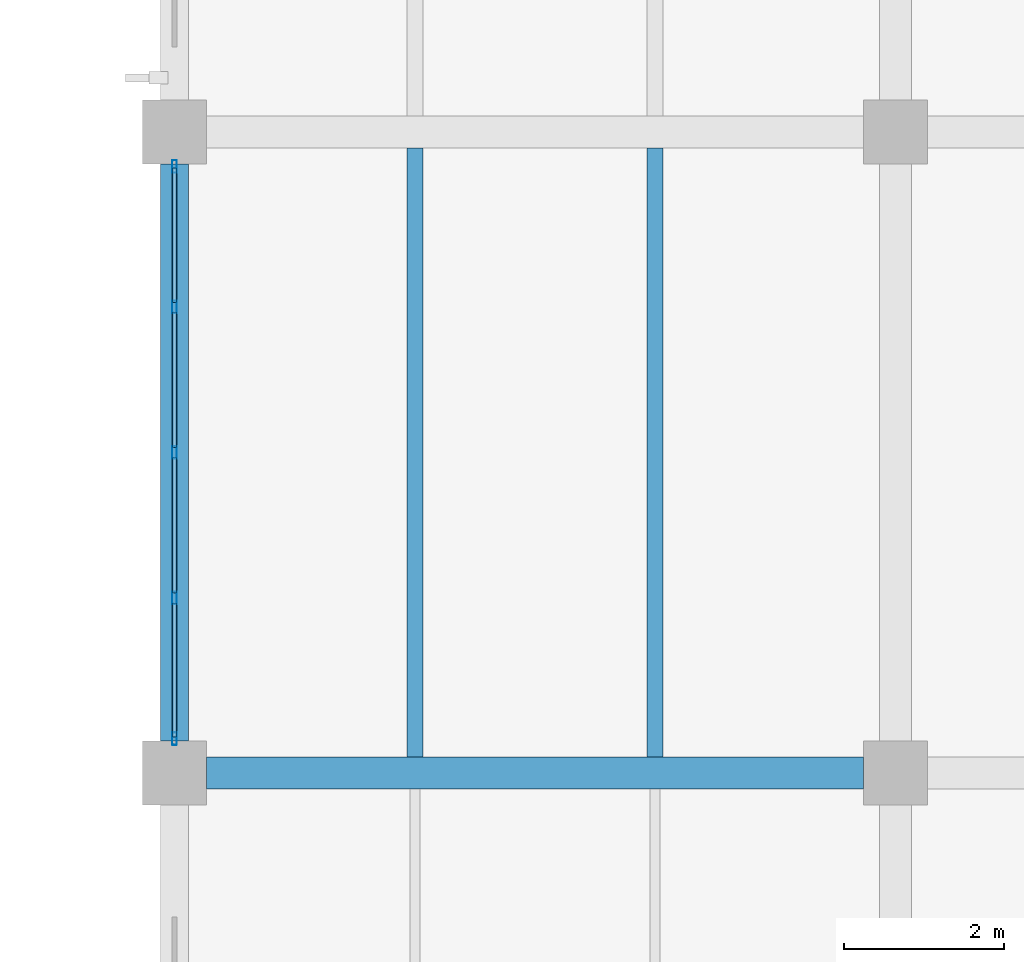
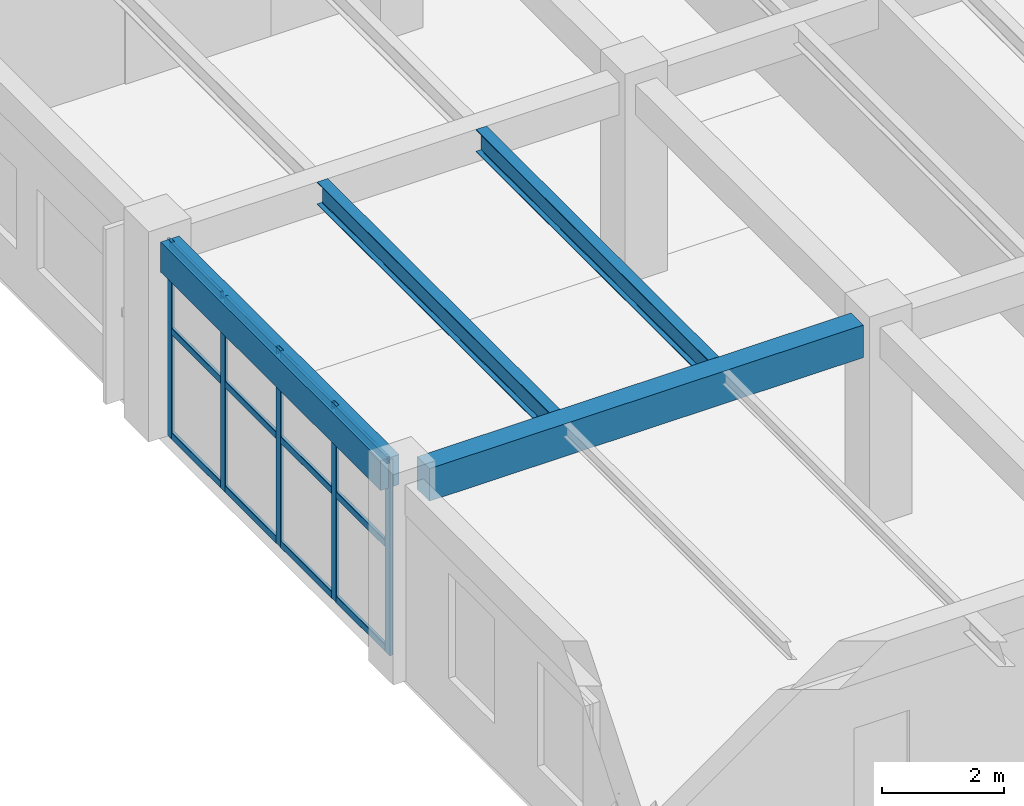
# One storey, part 94 of 148: 17 members, 4 beams, 1 element without a shape of its own.
"""IFC4 building model written with IfcOpenShell, lengths in metres."""

from ifc_helpers import new_model, si_unit, derived_unit, direction, frame, origin, origin_2d, place, context, subcontext, project, spatial, rectangle, hollow_rectangle, i_section, extrude, material, material_profile, profile_set, type_object, element, aggregate, save


model = new_model("IFC4")

# Units and contexts
model_context = context("Model", 3, precision=1e-05, world=origin(), true_north=direction((0.0, 1.0)))
body_context = subcontext(model_context, "Body", "Model", "MODEL_VIEW")
ifc_project = project(units=[si_unit("LENGTHUNIT", "METRE"), si_unit("AREAUNIT", "SQUARE_METRE"), si_unit("VOLUMEUNIT", "CUBIC_METRE"), si_unit("PLANEANGLEUNIT", "RADIAN"), si_unit("MASSUNIT", "GRAM", prefix="KILO"), derived_unit("THERMALTRANSMITTANCEUNIT", [(si_unit("MASSUNIT", "GRAM", prefix="KILO"), 1), (si_unit("TIMEUNIT", "SECOND"), -3), (si_unit("THERMODYNAMICTEMPERATUREUNIT", "KELVIN"), -1)])], contexts=[model_context])

# Site, building, storey
site_placement = place(None, origin())
site = spatial("IfcSite", under=ifc_project, at=site_placement, CompositionType="ELEMENT")
building_placement = place(site_placement, origin())
building = spatial("IfcBuilding", under=site, at=building_placement, Name="Zhenchuan Archway Interchange", CompositionType="ELEMENT")
storey_placement = place(building_placement, frame((0.0, 0.0, 10.199951171875)))
storey = spatial("IfcBuildingStorey", under=building, at=storey_placement, Name="L02", CompositionType="ELEMENT", Elevation=10.199951171875)

# Beam
ifc_material_1 = material(Name="Concrete C40", Category="concrete")
ifc_material_profile_1 = material_profile(ifc_material_1, rectangle(XDim=0.39990234375, YDim=0.64990234375, at=origin_2d()), Name="RC 400x650")
ifc_profile_set_1 = profile_set([ifc_material_profile_1], Name="Concrete C40")
beam_type_1 = type_object("IfcBeamType", Name="BM_RC_400x650", PredefinedType="BEAM", material=ifc_profile_set_1)
beam_1_placement = place(storey_placement, frame((144.39990234375, 32.0, 3.594970703125), z_axis=(1.0, 0.0, 0.0), x_axis=(0.0, 1.0, 0.0)))
element("IfcBeam", 1, at=beam_1_placement, inside=storey, type_object=beam_type_1, Name="Beam E:17-18 (L02)", PredefinedType="BEAM", context=body_context, shape_type="SweptSolid", body=[
    extrude(rectangle(XDim=0.39990234375, YDim=0.64990234375, at=origin_2d()), origin(), (0.0, 0.0, 1.0), 8.2001953125),
])

# Curtain wall, members
ifc_material_2 = material(Name="Anodised Aluminium", Category="aluminium")
curtain_wall_type = type_object("IfcCurtainWallType", Name="CW_UNIT_4", PredefinedType="NOTDEFINED", material=ifc_material_2)
curtain_wall_placement = place(storey_placement, origin())
curtain_wall = element("IfcCurtainWall", 2, at=curtain_wall_placement, inside=storey, type_object=curtain_wall_type, Name="Unitised curtain wall CW:L02:163", PredefinedType="NOTDEFINED")
ifc_material_profile_2 = material_profile(ifc_material_2, hollow_rectangle(XDim=0.06005859375, YDim=0.159912109375, WallThickness=0.00390625, InnerFilletRadius=0.00390625, OuterFilletRadius=0.008056640625, at=origin_2d()), Name="ALU 160x60x4")
ifc_profile_set_2 = profile_set([ifc_material_profile_2], Name="Anodised Aluminium")
member_type_1 = type_object("IfcMemberType", Name="CW_MUL_150", PredefinedType="MULLION", material=ifc_profile_set_2)
member_1_placement = place(storey_placement, frame((144.0, 32.427978515625, 0.0), z_axis=(0.0, 0.0, 1.0), x_axis=(1.0, 0.0, 0.0)))
member_1 = element("IfcMember", 3, at=member_1_placement, type_object=member_type_1, Name="CW:L02:163 mullion 0", PredefinedType="MULLION", context=body_context, shape_type="SweptSolid", body=[
    extrude(hollow_rectangle(XDim=0.06005859375, YDim=0.159912109375, WallThickness=0.00390625, InnerFilletRadius=0.00390625, OuterFilletRadius=0.008056640625, at=origin_2d()), origin(), (0.0, 0.0, 1.0), 3.920166015625),
])
member_2_placement = place(storey_placement, frame((144.0, 34.18408203125, 0.0), z_axis=(0.0, 0.0, 1.0), x_axis=(1.0, 0.0, 0.0)))
member_2 = element("IfcMember", 4, at=member_2_placement, type_object=member_type_1, Name="CW:L02:163 mullion 1", PredefinedType="MULLION", context=body_context, shape_type="SweptSolid", body=[
    extrude(hollow_rectangle(XDim=0.06005859375, YDim=0.159912109375, WallThickness=0.00390625, InnerFilletRadius=0.00390625, OuterFilletRadius=0.008056640625, at=origin_2d()), origin(), (0.0, 0.0, 1.0), 3.920166015625),
])
member_3_placement = place(storey_placement, frame((144.0, 36.0, 0.0), z_axis=(0.0, 0.0, 1.0), x_axis=(1.0, 0.0, 0.0)))
member_3 = element("IfcMember", 5, at=member_3_placement, type_object=member_type_1, Name="CW:L02:163 mullion 2", PredefinedType="MULLION", context=body_context, shape_type="SweptSolid", body=[
    extrude(hollow_rectangle(XDim=0.06005859375, YDim=0.159912109375, WallThickness=0.00390625, InnerFilletRadius=0.00390625, OuterFilletRadius=0.008056640625, at=origin_2d()), origin(), (0.0, 0.0, 1.0), 3.920166015625),
])
member_4_placement = place(storey_placement, frame((144.0, 37.81591796875, 0.0), z_axis=(0.0, 0.0, 1.0), x_axis=(1.0, 0.0, 0.0)))
member_4 = element("IfcMember", 6, at=member_4_placement, type_object=member_type_1, Name="CW:L02:163 mullion 3", PredefinedType="MULLION", context=body_context, shape_type="SweptSolid", body=[
    extrude(hollow_rectangle(XDim=0.06005859375, YDim=0.159912109375, WallThickness=0.00390625, InnerFilletRadius=0.00390625, OuterFilletRadius=0.008056640625, at=origin_2d()), origin(), (0.0, 0.0, 1.0), 3.920166015625),
])
member_5_placement = place(storey_placement, frame((144.0, 39.572021484375, 0.0), z_axis=(0.0, 0.0, 1.0), x_axis=(1.0, 0.0, 0.0)))
member_5 = element("IfcMember", 7, at=member_5_placement, type_object=member_type_1, Name="CW:L02:163 mullion 4", PredefinedType="MULLION", context=body_context, shape_type="SweptSolid", body=[
    extrude(hollow_rectangle(XDim=0.06005859375, YDim=0.159912109375, WallThickness=0.00390625, InnerFilletRadius=0.00390625, OuterFilletRadius=0.008056640625, at=origin_2d()), origin(), (0.0, 0.0, 1.0), 3.920166015625),
])
ifc_material_profile_3 = material_profile(ifc_material_2, hollow_rectangle(XDim=0.06005859375, YDim=0.139892578125, WallThickness=0.00341796875, InnerFilletRadius=0.00341796875, OuterFilletRadius=0.007080078125, at=origin_2d()), Name="ALU 140x60x3.5")
ifc_profile_set_3 = profile_set([ifc_material_profile_3], Name="Anodised Aluminium")
member_type_2 = type_object("IfcMemberType", Name="CW_TRN_140", PredefinedType="USERDEFINED", material=ifc_profile_set_3)
member_6_placement = place(storey_placement, frame((144.0, 32.447998046875, 0.06005859375), z_axis=(0.0, 1.0, 0.0), x_axis=(-1.0, 0.0, 0.0)))
member_6 = element("IfcMember", 8, at=member_6_placement, type_object=member_type_2, Name="CW:L02:163 transom 0-1", ObjectType="TRANSOM", PredefinedType="USERDEFINED", context=body_context, shape_type="SweptSolid", body=[
    extrude(hollow_rectangle(XDim=0.06005859375, YDim=0.139892578125, WallThickness=0.00341796875, InnerFilletRadius=0.00341796875, OuterFilletRadius=0.007080078125, at=origin_2d()), origin(), (0.0, 0.0, 1.0), 1.676025390625),
])
member_7_placement = place(storey_placement, frame((144.0, 32.447998046875, 2.14501953125), z_axis=(0.0, 1.0, 0.0), x_axis=(-1.0, 0.0, 0.0)))
member_7 = element("IfcMember", 9, at=member_7_placement, type_object=member_type_2, Name="CW:L02:163 transom 0-2", ObjectType="TRANSOM", PredefinedType="USERDEFINED", context=body_context, shape_type="SweptSolid", body=[
    extrude(hollow_rectangle(XDim=0.06005859375, YDim=0.139892578125, WallThickness=0.00341796875, InnerFilletRadius=0.00341796875, OuterFilletRadius=0.007080078125, at=origin_2d()), origin(), (0.0, 0.0, 1.0), 1.676025390625),
])
member_8_placement = place(storey_placement, frame((144.0, 32.447998046875, 3.840087890625), z_axis=(0.0, 1.0, 0.0), x_axis=(-1.0, 0.0, 0.0)))
member_8 = element("IfcMember", 10, at=member_8_placement, type_object=member_type_2, Name="CW:L02:163 transom 0-3", ObjectType="TRANSOM", PredefinedType="USERDEFINED", context=body_context, shape_type="SweptSolid", body=[
    extrude(hollow_rectangle(XDim=0.06005859375, YDim=0.139892578125, WallThickness=0.00341796875, InnerFilletRadius=0.00341796875, OuterFilletRadius=0.007080078125, at=origin_2d()), origin(), (0.0, 0.0, 1.0), 1.676025390625),
])
member_9_placement = place(storey_placement, frame((144.0, 34.243896484375, 0.06005859375), z_axis=(0.0, 1.0, 0.0), x_axis=(-1.0, 0.0, 0.0)))
member_9 = element("IfcMember", 11, at=member_9_placement, type_object=member_type_2, Name="CW:L02:163 transom 1-1", ObjectType="TRANSOM", PredefinedType="USERDEFINED", context=body_context, shape_type="SweptSolid", body=[
    extrude(hollow_rectangle(XDim=0.06005859375, YDim=0.139892578125, WallThickness=0.00341796875, InnerFilletRadius=0.00341796875, OuterFilletRadius=0.007080078125, at=origin_2d()), origin(), (0.0, 0.0, 1.0), 1.696044921875),
])
member_10_placement = place(storey_placement, frame((144.0, 34.243896484375, 2.14501953125), z_axis=(0.0, 1.0, 0.0), x_axis=(-1.0, 0.0, 0.0)))
member_10 = element("IfcMember", 12, at=member_10_placement, type_object=member_type_2, Name="CW:L02:163 transom 1-2", ObjectType="TRANSOM", PredefinedType="USERDEFINED", context=body_context, shape_type="SweptSolid", body=[
    extrude(hollow_rectangle(XDim=0.06005859375, YDim=0.139892578125, WallThickness=0.00341796875, InnerFilletRadius=0.00341796875, OuterFilletRadius=0.007080078125, at=origin_2d()), origin(), (0.0, 0.0, 1.0), 1.696044921875),
])
member_11_placement = place(storey_placement, frame((144.0, 34.243896484375, 3.840087890625), z_axis=(0.0, 1.0, 0.0), x_axis=(-1.0, 0.0, 0.0)))
member_11 = element("IfcMember", 13, at=member_11_placement, type_object=member_type_2, Name="CW:L02:163 transom 1-3", ObjectType="TRANSOM", PredefinedType="USERDEFINED", context=body_context, shape_type="SweptSolid", body=[
    extrude(hollow_rectangle(XDim=0.06005859375, YDim=0.139892578125, WallThickness=0.00341796875, InnerFilletRadius=0.00341796875, OuterFilletRadius=0.007080078125, at=origin_2d()), origin(), (0.0, 0.0, 1.0), 1.696044921875),
])
member_12_placement = place(storey_placement, frame((144.0, 36.06005859375, 0.06005859375), z_axis=(0.0, 1.0, 0.0), x_axis=(-1.0, 0.0, 0.0)))
member_12 = element("IfcMember", 14, at=member_12_placement, type_object=member_type_2, Name="CW:L02:163 transom 2-1", ObjectType="TRANSOM", PredefinedType="USERDEFINED", context=body_context, shape_type="SweptSolid", body=[
    extrude(hollow_rectangle(XDim=0.06005859375, YDim=0.139892578125, WallThickness=0.00341796875, InnerFilletRadius=0.00341796875, OuterFilletRadius=0.007080078125, at=origin_2d()), origin(), (0.0, 0.0, 1.0), 1.696044921875),
])
member_13_placement = place(storey_placement, frame((144.0, 36.06005859375, 2.14501953125), z_axis=(0.0, 1.0, 0.0), x_axis=(-1.0, 0.0, 0.0)))
member_13 = element("IfcMember", 15, at=member_13_placement, type_object=member_type_2, Name="CW:L02:163 transom 2-2", ObjectType="TRANSOM", PredefinedType="USERDEFINED", context=body_context, shape_type="SweptSolid", body=[
    extrude(hollow_rectangle(XDim=0.06005859375, YDim=0.139892578125, WallThickness=0.00341796875, InnerFilletRadius=0.00341796875, OuterFilletRadius=0.007080078125, at=origin_2d()), origin(), (0.0, 0.0, 1.0), 1.696044921875),
])
member_14_placement = place(storey_placement, frame((144.0, 36.06005859375, 3.840087890625), z_axis=(0.0, 1.0, 0.0), x_axis=(-1.0, 0.0, 0.0)))
member_14 = element("IfcMember", 16, at=member_14_placement, type_object=member_type_2, Name="CW:L02:163 transom 2-3", ObjectType="TRANSOM", PredefinedType="USERDEFINED", context=body_context, shape_type="SweptSolid", body=[
    extrude(hollow_rectangle(XDim=0.06005859375, YDim=0.139892578125, WallThickness=0.00341796875, InnerFilletRadius=0.00341796875, OuterFilletRadius=0.007080078125, at=origin_2d()), origin(), (0.0, 0.0, 1.0), 1.696044921875),
])
member_15_placement = place(storey_placement, frame((144.0, 37.8759765625, 0.06005859375), z_axis=(0.0, 1.0, 0.0), x_axis=(-1.0, 0.0, 0.0)))
member_15 = element("IfcMember", 17, at=member_15_placement, type_object=member_type_2, Name="CW:L02:163 transom 3-1", ObjectType="TRANSOM", PredefinedType="USERDEFINED", context=body_context, shape_type="SweptSolid", body=[
    extrude(hollow_rectangle(XDim=0.06005859375, YDim=0.139892578125, WallThickness=0.00341796875, InnerFilletRadius=0.00341796875, OuterFilletRadius=0.007080078125, at=origin_2d()), origin(), (0.0, 0.0, 1.0), 1.676025390625),
])
member_16_placement = place(storey_placement, frame((144.0, 37.8759765625, 2.14501953125), z_axis=(0.0, 1.0, 0.0), x_axis=(-1.0, 0.0, 0.0)))
member_16 = element("IfcMember", 18, at=member_16_placement, type_object=member_type_2, Name="CW:L02:163 transom 3-2", ObjectType="TRANSOM", PredefinedType="USERDEFINED", context=body_context, shape_type="SweptSolid", body=[
    extrude(hollow_rectangle(XDim=0.06005859375, YDim=0.139892578125, WallThickness=0.00341796875, InnerFilletRadius=0.00341796875, OuterFilletRadius=0.007080078125, at=origin_2d()), origin(), (0.0, 0.0, 1.0), 1.676025390625),
])
member_17_placement = place(storey_placement, frame((144.0, 37.8759765625, 3.840087890625), z_axis=(0.0, 1.0, 0.0), x_axis=(-1.0, 0.0, 0.0)))
member_17 = element("IfcMember", 19, at=member_17_placement, type_object=member_type_2, Name="CW:L02:163 transom 3-3", ObjectType="TRANSOM", PredefinedType="USERDEFINED", context=body_context, shape_type="SweptSolid", body=[
    extrude(hollow_rectangle(XDim=0.06005859375, YDim=0.139892578125, WallThickness=0.00341796875, InnerFilletRadius=0.00341796875, OuterFilletRadius=0.007080078125, at=origin_2d()), origin(), (0.0, 0.0, 1.0), 1.676025390625),
])
aggregate(curtain_wall, [member_1, member_2, member_3, member_4, member_5, member_6, member_7, member_8, member_9, member_10, member_11, member_12, member_13, member_14, member_15, member_16, member_17])

# Beams
ifc_material_3 = material(Name="Steel Q355", Category="steel")
ifc_material_profile_4 = material_profile(ifc_material_3, i_section(OverallWidth=0.199951171875, OverallDepth=0.449951171875, WebThickness=0.009033203125, FlangeThickness=0.013916015625, FilletRadius=0.01806640625, at=origin_2d()), Name="HN 450x200")
ifc_profile_set_4 = profile_set([ifc_material_profile_4], Name="Steel Q355")
beam_type_2 = type_object("IfcBeamType", Name="JST_STL_HN450", PredefinedType="JOIST", material=ifc_profile_set_4)
for number, where, z_axis, x_axis, name in (
    (20, (147.0, 32.199951171875, 3.695068359375), (0.0, 1.0, 0.0), (-1.0, 0.0, 0.0), "Secondary joist 17-18/E-F #1 (L02)"),
    (21, (150.0, 32.199951171875, 3.695068359375), (0.0, 1.0, 0.0), (-1.0, 0.0, 0.0), "Secondary joist 17-18/E-F #2 (L02)"),
):
    element("IfcBeam", number, at=place(storey_placement, frame(where, z_axis=z_axis, x_axis=x_axis)), inside=storey, type_object=beam_type_2, Name=name, PredefinedType="JOIST", context=body_context, shape_type="SweptSolid", body=[
        extrude(i_section(OverallWidth=0.199951171875, OverallDepth=0.449951171875, WebThickness=0.009033203125, FlangeThickness=0.013916015625, FilletRadius=0.01806640625, at=origin_2d()), origin(), (0.0, 0.0, 1.0), 7.60009765625),
    ])
ifc_material_profile_5 = material_profile(ifc_material_1, rectangle(XDim=0.35009765625, YDim=0.60009765625, at=origin_2d()), Name="RC 350x600")
ifc_profile_set_5 = profile_set([ifc_material_profile_5], Name="Concrete C40")
beam_type_3 = type_object("IfcBeamType", Name="SP_RC_350x600", PredefinedType="SPANDREL", material=ifc_profile_set_5)
beam_2_placement = place(storey_placement, frame((144.0, 32.39990234375, 3.6201171875), z_axis=(0.0, 1.0, 0.0), x_axis=(-1.0, 0.0, 0.0)))
element("IfcBeam", 22, at=beam_2_placement, inside=storey, type_object=beam_type_3, Name="Beam 17:E-F (L02)", PredefinedType="SPANDREL", context=body_context, shape_type="SweptSolid", body=[
    extrude(rectangle(XDim=0.35009765625, YDim=0.60009765625, at=origin_2d()), origin(), (0.0, 0.0, 1.0), 7.2001953125),
])

save(model, "model.ifc")
